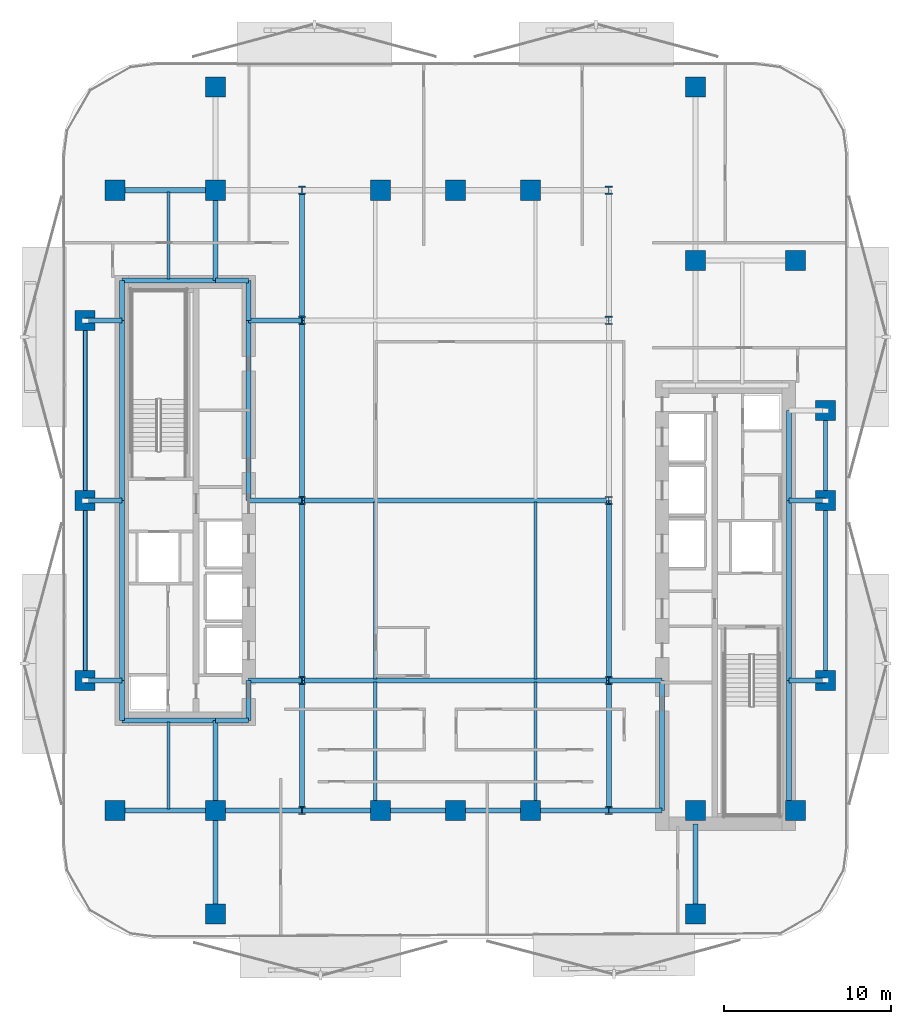
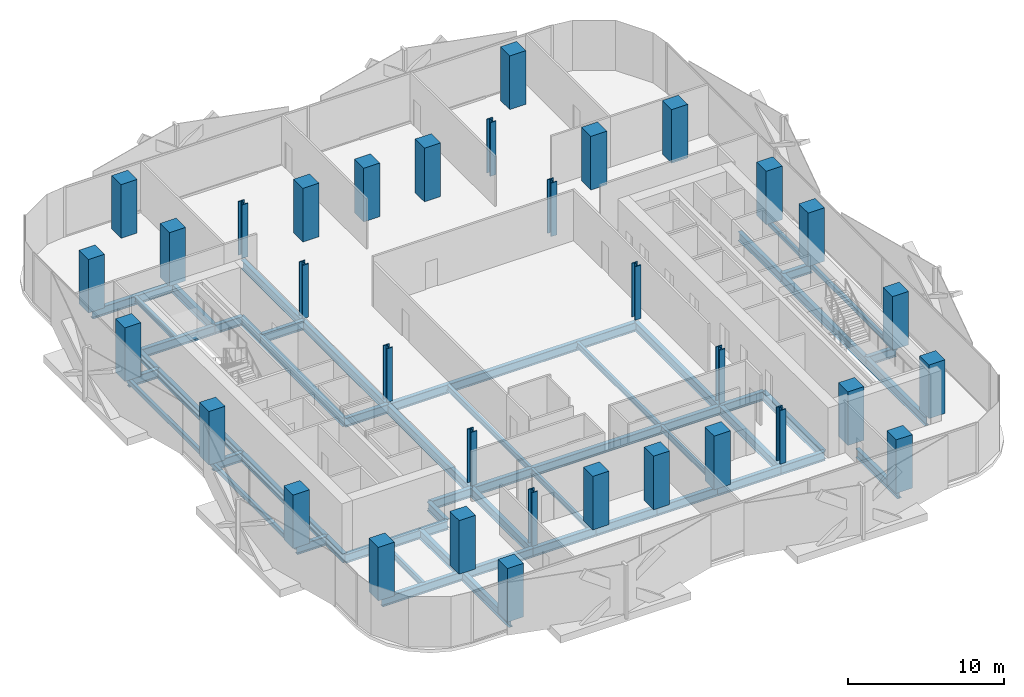
# One storey, part 1 of 15: 54 beams, 34 columns.
"""IFC4 building model written with IfcOpenShell, lengths in metres."""

from ifc_helpers import new_model, si_unit, direction, frame, origin, origin_2d, place, context, subcontext, project, spatial, rectangle, hollow_rectangle, i_section, extrude, material, material_profile, profile_set, type_object, element, save


model = new_model("IFC4")

# Units and contexts
model_context = context("Model", 3, precision=1e-05, world=origin(), true_north=direction((0.0, 1.0)))
body_context = subcontext(model_context, "Body", "Model", "MODEL_VIEW")
ifc_project = project(units=[si_unit("LENGTHUNIT", "METRE"), si_unit("AREAUNIT", "SQUARE_METRE"), si_unit("VOLUMEUNIT", "CUBIC_METRE"), si_unit("PLANEANGLEUNIT", "RADIAN"), si_unit("MASSUNIT", "GRAM", prefix="KILO")], contexts=[model_context])

# Site, building, storey
site_placement = place(None, origin())
site = spatial("IfcSite", under=ifc_project, at=site_placement, CompositionType="ELEMENT")
building_placement = place(site_placement, origin())
building = spatial("IfcBuilding", under=site, at=building_placement, Name="Khairoan Windgate Tower", CompositionType="ELEMENT")
storey_placement = place(building_placement, frame((0.0, 0.0, 122.60009765625)))
storey = spatial("IfcBuildingStorey", under=building, at=storey_placement, Name="L28", CompositionType="ELEMENT", Elevation=122.60009765625)

# Columns
ifc_material_1 = material(Name="Concrete C60/75", Category="concrete")
ifc_material_profile_1 = material_profile(ifc_material_1, rectangle(XDim=1.199951171875, YDim=1.199951171875, at=origin_2d()))
ifc_profile_set_1 = profile_set([ifc_material_profile_1], Name="Concrete C60/75")
column_type_1 = type_object("IfcColumnType", Name="Column C-T3 RC1200x1200", PredefinedType="COLUMN", material=ifc_profile_set_1)
for number, where, z_axis, x_axis, name in (
    (1, (-20.39990234375, -18.60009765625, 0.0), (0.0, 0.0, 1.0), (1.0, 0.0, 0.0), "Column L28-11"),
    (2, (-20.39990234375, 18.60009765625, 0.0), (0.0, 0.0, 1.0), (1.0, 0.0, 0.0), "Column L28-12"),
    (3, (20.39990234375, -18.60009765625, 0.0), (0.0, 0.0, 1.0), (1.0, 0.0, 0.0), "Column L28-13"),
    (4, (20.39990234375, 14.39990234375, 0.0), (0.0, 0.0, 1.0), (1.0, 0.0, 0.0), "Column L28-14"),
    (5, (-14.39990234375, -18.60009765625, 0.0), (0.0, 0.0, 1.0), (1.0, 0.0, 0.0), "Column L28-15"),
    (6, (-14.39990234375, 18.60009765625, 0.0), (0.0, 0.0, 1.0), (1.0, 0.0, 0.0), "Column L28-16"),
    (7, (14.39990234375, -18.60009765625, 0.0), (0.0, 0.0, 1.0), (1.0, 0.0, 0.0), "Column L28-17"),
    (8, (14.39990234375, 14.39990234375, 0.0), (0.0, 0.0, 1.0), (1.0, 0.0, 0.0), "Column L28-18"),
    (9, (-4.5, -18.60009765625, 0.0), (0.0, 0.0, 1.0), (1.0, 0.0, 0.0), "Column L28-19"),
    (10, (0.0, -18.60009765625, 0.0), (0.0, 0.0, 1.0), (1.0, 0.0, 0.0), "Column L28-20"),
    (11, (4.5, -18.60009765625, 0.0), (0.0, 0.0, 1.0), (1.0, 0.0, 0.0), "Column L28-21"),
    (12, (-4.5, 18.60009765625, 0.0), (0.0, 0.0, 1.0), (1.0, 0.0, 0.0), "Column L28-22"),
    (13, (0.0, 18.60009765625, 0.0), (0.0, 0.0, 1.0), (1.0, 0.0, 0.0), "Column L28-23"),
    (14, (4.5, 18.60009765625, 0.0), (0.0, 0.0, 1.0), (1.0, 0.0, 0.0), "Column L28-24"),
    (15, (-22.199951171875, -10.800048828125, 0.0), (0.0, 0.0, 1.0), (1.0, 0.0, 0.0), "Column L28-25"),
    (16, (-22.199951171875, 0.0, 0.0), (0.0, 0.0, 1.0), (1.0, 0.0, 0.0), "Column L28-26"),
    (17, (-22.199951171875, 10.800048828125, 0.0), (0.0, 0.0, 1.0), (1.0, 0.0, 0.0), "Column L28-27"),
    (18, (22.199951171875, -10.800048828125, 0.0), (0.0, 0.0, 1.0), (1.0, 0.0, 0.0), "Column L28-28"),
    (19, (22.199951171875, 0.0, 0.0), (0.0, 0.0, 1.0), (1.0, 0.0, 0.0), "Column L28-29"),
    (20, (22.199951171875, 5.39990234375, 0.0), (0.0, 0.0, 1.0), (1.0, 0.0, 0.0), "Column L28-30"),
    (21, (-14.39990234375, -24.800048828125, 0.0), (0.0, 0.0, 1.0), (1.0, 0.0, 0.0), "Column L28-31"),
    (22, (-14.39990234375, 24.800048828125, 0.0), (0.0, 0.0, 1.0), (1.0, 0.0, 0.0), "Column L28-32"),
    (23, (14.39990234375, -24.800048828125, 0.0), (0.0, 0.0, 1.0), (1.0, 0.0, 0.0), "Column L28-33"),
    (24, (14.39990234375, 24.800048828125, 0.0), (0.0, 0.0, 1.0), (1.0, 0.0, 0.0), "Column L28-34"),
):
    element("IfcColumn", number, at=place(storey_placement, frame(where, z_axis=z_axis, x_axis=x_axis)), inside=storey, type_object=column_type_1, Name=name, PredefinedType="COLUMN", context=body_context, shape_type="SweptSolid", body=[
        extrude(rectangle(XDim=1.199951171875, YDim=1.199951171875, at=origin_2d()), origin(), (0.0, 0.0, 1.0), 4.199951171875),
    ])
ifc_material_2 = material(Name="Steel S355", Category="steel")
ifc_material_profile_2 = material_profile(ifc_material_2, i_section(OverallWidth=0.431884765625, OverallDepth=0.498046875, WebThickness=0.044921875, FlangeThickness=0.070068359375, FilletRadius=0.02197265625, at=origin_2d()))
ifc_profile_set_2 = profile_set([ifc_material_profile_2], Name="Steel S355")
column_type_2 = type_object("IfcColumnType", Name="Steel Column SC1 H498x432x45x70", PredefinedType="COLUMN", material=ifc_profile_set_2)
for number, where, z_axis, x_axis, name in (
    (25, (-9.199951171875, -18.60009765625, 0.0), (0.0, 0.0, 1.0), (1.0, 0.0, 0.0), "Column L28-01"),
    (26, (-9.199951171875, -10.800048828125, 0.0), (0.0, 0.0, 1.0), (1.0, 0.0, 0.0), "Column L28-02"),
    (27, (-9.199951171875, 0.0, 0.0), (0.0, 0.0, 1.0), (1.0, 0.0, 0.0), "Column L28-03"),
    (28, (-9.199951171875, 10.800048828125, 0.0), (0.0, 0.0, 1.0), (1.0, 0.0, 0.0), "Column L28-04"),
    (29, (-9.199951171875, 18.60009765625, 0.0), (0.0, 0.0, 1.0), (1.0, 0.0, 0.0), "Column L28-05"),
    (30, (9.199951171875, -18.60009765625, 0.0), (0.0, 0.0, 1.0), (1.0, 0.0, 0.0), "Column L28-06"),
    (31, (9.199951171875, -10.800048828125, 0.0), (0.0, 0.0, 1.0), (1.0, 0.0, 0.0), "Column L28-07"),
    (32, (9.199951171875, 0.0, 0.0), (0.0, 0.0, 1.0), (1.0, 0.0, 0.0), "Column L28-08"),
    (33, (9.199951171875, 10.800048828125, 0.0), (0.0, 0.0, 1.0), (1.0, 0.0, 0.0), "Column L28-09"),
    (34, (9.199951171875, 18.60009765625, 0.0), (0.0, 0.0, 1.0), (1.0, 0.0, 0.0), "Column L28-10"),
):
    element("IfcColumn", number, at=place(storey_placement, frame(where, z_axis=z_axis, x_axis=x_axis)), inside=storey, type_object=column_type_2, Name=name, PredefinedType="COLUMN", context=body_context, shape_type="SweptSolid", body=[
        extrude(i_section(OverallWidth=0.431884765625, OverallDepth=0.498046875, WebThickness=0.044921875, FlangeThickness=0.070068359375, FilletRadius=0.02197265625, at=origin_2d()), origin(), (0.0, 0.0, 1.0), 4.199951171875),
    ])

# Beams
ifc_material_3 = material(Name="Steel S355", Category="steel")
ifc_material_profile_3 = material_profile(ifc_material_3, i_section(OverallWidth=0.300048828125, OverallDepth=0.699951171875, WebThickness=0.012939453125, FlangeThickness=0.02392578125, FilletRadius=0.02587890625, at=origin_2d()))
ifc_profile_set_3 = profile_set([ifc_material_profile_3], Name="Steel S355")
beam_type_1 = type_object("IfcBeamType", Name="Beam B-G3 H700x300x13x24", PredefinedType="BEAM", material=ifc_profile_set_3)
beam_1_placement = place(storey_placement, frame((-20.39990234375, -18.60009765625, -0.610107421875), z_axis=(1.0, 0.0, 0.0), x_axis=(0.0, 1.0, 0.0)))
element("IfcBeam", 35, at=beam_1_placement, inside=storey, type_object=beam_type_1, Name="L28 E-W Primary Girder 01", PredefinedType="BEAM", context=body_context, shape_type="SweptSolid", body=[
    extrude(i_section(OverallWidth=0.300048828125, OverallDepth=0.699951171875, WebThickness=0.012939453125, FlangeThickness=0.02392578125, FilletRadius=0.02587890625, at=origin_2d()), origin(), (0.0, 0.0, 1.0), 6.0),
])
beam_2_placement = place(storey_placement, frame((-14.39990234375, -18.60009765625, -0.610107421875), z_axis=(1.0, 0.0, 0.0), x_axis=(0.0, 1.0, 0.0)))
element("IfcBeam", 36, at=beam_2_placement, inside=storey, type_object=beam_type_1, Name="L28 E-W Primary Girder 02", PredefinedType="BEAM", context=body_context, shape_type="SweptSolid", body=[
    extrude(i_section(OverallWidth=0.300048828125, OverallDepth=0.699951171875, WebThickness=0.012939453125, FlangeThickness=0.02392578125, FilletRadius=0.02587890625, at=origin_2d()), origin(), (0.0, 0.0, 1.0), 5.199951171875),
])
beam_3_placement = place(storey_placement, frame((-9.199951171875, -18.60009765625, -0.610107421875), z_axis=(1.0, 0.0, 0.0), x_axis=(0.0, 1.0, 0.0)))
element("IfcBeam", 37, at=beam_3_placement, inside=storey, type_object=beam_type_1, Name="L28 E-W Primary Girder 03", PredefinedType="BEAM", context=body_context, shape_type="SweptSolid", body=[
    extrude(i_section(OverallWidth=0.300048828125, OverallDepth=0.699951171875, WebThickness=0.012939453125, FlangeThickness=0.02392578125, FilletRadius=0.02587890625, at=origin_2d()), origin(), (0.0, 0.0, 1.0), 4.699951171875),
])
for number, where, z_axis, x_axis, name in (
    (38, (-4.5, -18.60009765625, -0.610107421875), (1.0, 0.0, 0.0), (0.0, 1.0, 0.0), "L28 E-W Primary Girder 04"),
    (39, (0.0, -18.60009765625, -0.610107421875), (1.0, 0.0, 0.0), (0.0, 1.0, 0.0), "L28 E-W Primary Girder 05"),
):
    element("IfcBeam", number, at=place(storey_placement, frame(where, z_axis=z_axis, x_axis=x_axis)), inside=storey, type_object=beam_type_1, Name=name, PredefinedType="BEAM", context=body_context, shape_type="SweptSolid", body=[
        extrude(i_section(OverallWidth=0.300048828125, OverallDepth=0.699951171875, WebThickness=0.012939453125, FlangeThickness=0.02392578125, FilletRadius=0.02587890625, at=origin_2d()), origin(), (0.0, 0.0, 1.0), 4.5),
    ])
beam_4_placement = place(storey_placement, frame((4.5, -18.60009765625, -0.610107421875), z_axis=(1.0, 0.0, 0.0), x_axis=(0.0, 1.0, 0.0)))
element("IfcBeam", 40, at=beam_4_placement, inside=storey, type_object=beam_type_1, Name="L28 E-W Primary Girder 06", PredefinedType="BEAM", context=body_context, shape_type="SweptSolid", body=[
    extrude(i_section(OverallWidth=0.300048828125, OverallDepth=0.699951171875, WebThickness=0.012939453125, FlangeThickness=0.02392578125, FilletRadius=0.02587890625, at=origin_2d()), origin(), (0.0, 0.0, 1.0), 4.699951171875),
])
beam_5_placement = place(storey_placement, frame((9.199951171875, -18.60009765625, -0.610107421875), z_axis=(1.0, 0.0, 0.0), x_axis=(0.0, 1.0, 0.0)))
element("IfcBeam", 41, at=beam_5_placement, inside=storey, type_object=beam_type_1, Name="L28 E-W Primary Girder 07", PredefinedType="BEAM", context=body_context, shape_type="SweptSolid", body=[
    extrude(i_section(OverallWidth=0.300048828125, OverallDepth=0.699951171875, WebThickness=0.012939453125, FlangeThickness=0.02392578125, FilletRadius=0.02587890625, at=origin_2d()), origin(), (0.0, 0.0, 1.0), 3.199951171875),
])
beam_6_placement = place(storey_placement, frame((-20.0, -13.199951171875, -0.610107421875), z_axis=(1.0, 0.0, 0.0), x_axis=(0.0, 1.0, 0.0)))
element("IfcBeam", 42, at=beam_6_placement, inside=storey, type_object=beam_type_1, Name="L28 E-W Primary Girder 08", PredefinedType="BEAM", context=body_context, shape_type="SweptSolid", body=[
    extrude(i_section(OverallWidth=0.300048828125, OverallDepth=0.699951171875, WebThickness=0.012939453125, FlangeThickness=0.02392578125, FilletRadius=0.02587890625, at=origin_2d()), origin(), (0.0, 0.0, 1.0), 5.60009765625),
])
beam_7_placement = place(storey_placement, frame((-14.39990234375, -13.199951171875, -0.610107421875), z_axis=(1.0, 0.0, 0.0), x_axis=(0.0, 1.0, 0.0)))
element("IfcBeam", 43, at=beam_7_placement, inside=storey, type_object=beam_type_1, Name="L28 E-W Primary Girder 09", PredefinedType="BEAM", context=body_context, shape_type="SweptSolid", body=[
    extrude(i_section(OverallWidth=0.300048828125, OverallDepth=0.699951171875, WebThickness=0.012939453125, FlangeThickness=0.02392578125, FilletRadius=0.02587890625, at=origin_2d()), origin(), (0.0, 0.0, 1.0), 2.0),
])
beam_8_placement = place(storey_placement, frame((-22.199951171875, -10.800048828125, -0.610107421875), z_axis=(1.0, 0.0, 0.0), x_axis=(0.0, 1.0, 0.0)))
element("IfcBeam", 44, at=beam_8_placement, inside=storey, type_object=beam_type_1, Name="L28 E-W Primary Girder 10", PredefinedType="BEAM", context=body_context, shape_type="SweptSolid", body=[
    extrude(i_section(OverallWidth=0.300048828125, OverallDepth=0.699951171875, WebThickness=0.012939453125, FlangeThickness=0.02392578125, FilletRadius=0.02587890625, at=origin_2d()), origin(), (0.0, 0.0, 1.0), 2.199951171875),
])
beam_9_placement = place(storey_placement, frame((-12.39990234375, -10.800048828125, -0.610107421875), z_axis=(1.0, 0.0, 0.0), x_axis=(0.0, 1.0, 0.0)))
element("IfcBeam", 45, at=beam_9_placement, inside=storey, type_object=beam_type_1, Name="L28 E-W Primary Girder 11", PredefinedType="BEAM", context=body_context, shape_type="SweptSolid", body=[
    extrude(i_section(OverallWidth=0.300048828125, OverallDepth=0.699951171875, WebThickness=0.012939453125, FlangeThickness=0.02392578125, FilletRadius=0.02587890625, at=origin_2d()), origin(), (0.0, 0.0, 1.0), 3.199951171875),
])
beam_10_placement = place(storey_placement, frame((-9.199951171875, -10.800048828125, -0.610107421875), z_axis=(1.0, 0.0, 0.0), x_axis=(0.0, 1.0, 0.0)))
element("IfcBeam", 46, at=beam_10_placement, inside=storey, type_object=beam_type_1, Name="L28 E-W Primary Girder 12", PredefinedType="BEAM", context=body_context, shape_type="SweptSolid", body=[
    extrude(i_section(OverallWidth=0.300048828125, OverallDepth=0.699951171875, WebThickness=0.012939453125, FlangeThickness=0.02392578125, FilletRadius=0.02587890625, at=origin_2d()), origin(), (0.0, 0.0, 1.0), 18.39990234375),
])
beam_11_placement = place(storey_placement, frame((9.199951171875, -10.800048828125, -0.610107421875), z_axis=(1.0, 0.0, 0.0), x_axis=(0.0, 1.0, 0.0)))
element("IfcBeam", 47, at=beam_11_placement, inside=storey, type_object=beam_type_1, Name="L28 E-W Primary Girder 13", PredefinedType="BEAM", context=body_context, shape_type="SweptSolid", body=[
    extrude(i_section(OverallWidth=0.300048828125, OverallDepth=0.699951171875, WebThickness=0.012939453125, FlangeThickness=0.02392578125, FilletRadius=0.02587890625, at=origin_2d()), origin(), (0.0, 0.0, 1.0), 3.199951171875),
])
for number, where, z_axis, x_axis, name in (
    (48, (20.0, -10.800048828125, -0.610107421875), (1.0, 0.0, 0.0), (0.0, 1.0, 0.0), "L28 E-W Primary Girder 14"),
    (49, (-22.199951171875, 0.0, -0.610107421875), (1.0, 0.0, 0.0), (0.0, 1.0, 0.0), "L28 E-W Primary Girder 15"),
):
    element("IfcBeam", number, at=place(storey_placement, frame(where, z_axis=z_axis, x_axis=x_axis)), inside=storey, type_object=beam_type_1, Name=name, PredefinedType="BEAM", context=body_context, shape_type="SweptSolid", body=[
        extrude(i_section(OverallWidth=0.300048828125, OverallDepth=0.699951171875, WebThickness=0.012939453125, FlangeThickness=0.02392578125, FilletRadius=0.02587890625, at=origin_2d()), origin(), (0.0, 0.0, 1.0), 2.199951171875),
    ])
beam_12_placement = place(storey_placement, frame((-12.39990234375, 0.0, -0.610107421875), z_axis=(1.0, 0.0, 0.0), x_axis=(0.0, 1.0, 0.0)))
element("IfcBeam", 50, at=beam_12_placement, inside=storey, type_object=beam_type_1, Name="L28 E-W Primary Girder 16", PredefinedType="BEAM", context=body_context, shape_type="SweptSolid", body=[
    extrude(i_section(OverallWidth=0.300048828125, OverallDepth=0.699951171875, WebThickness=0.012939453125, FlangeThickness=0.02392578125, FilletRadius=0.02587890625, at=origin_2d()), origin(), (0.0, 0.0, 1.0), 3.199951171875),
])
beam_13_placement = place(storey_placement, frame((-9.199951171875, 0.0, -0.610107421875), z_axis=(1.0, 0.0, 0.0), x_axis=(0.0, 1.0, 0.0)))
element("IfcBeam", 51, at=beam_13_placement, inside=storey, type_object=beam_type_1, Name="L28 E-W Primary Girder 17", PredefinedType="BEAM", context=body_context, shape_type="SweptSolid", body=[
    extrude(i_section(OverallWidth=0.300048828125, OverallDepth=0.699951171875, WebThickness=0.012939453125, FlangeThickness=0.02392578125, FilletRadius=0.02587890625, at=origin_2d()), origin(), (0.0, 0.0, 1.0), 18.39990234375),
])
for number, where, z_axis, x_axis, name in (
    (52, (20.0, 0.0, -0.610107421875), (1.0, 0.0, 0.0), (0.0, 1.0, 0.0), "L28 E-W Primary Girder 18"),
    (53, (-22.199951171875, 10.800048828125, -0.610107421875), (1.0, 0.0, 0.0), (0.0, 1.0, 0.0), "L28 E-W Primary Girder 22"),
):
    element("IfcBeam", number, at=place(storey_placement, frame(where, z_axis=z_axis, x_axis=x_axis)), inside=storey, type_object=beam_type_1, Name=name, PredefinedType="BEAM", context=body_context, shape_type="SweptSolid", body=[
        extrude(i_section(OverallWidth=0.300048828125, OverallDepth=0.699951171875, WebThickness=0.012939453125, FlangeThickness=0.02392578125, FilletRadius=0.02587890625, at=origin_2d()), origin(), (0.0, 0.0, 1.0), 2.199951171875),
    ])
beam_14_placement = place(storey_placement, frame((-12.39990234375, 10.800048828125, -0.610107421875), z_axis=(1.0, 0.0, 0.0), x_axis=(0.0, 1.0, 0.0)))
element("IfcBeam", 54, at=beam_14_placement, inside=storey, type_object=beam_type_1, Name="L28 E-W Primary Girder 23", PredefinedType="BEAM", context=body_context, shape_type="SweptSolid", body=[
    extrude(i_section(OverallWidth=0.300048828125, OverallDepth=0.699951171875, WebThickness=0.012939453125, FlangeThickness=0.02392578125, FilletRadius=0.02587890625, at=origin_2d()), origin(), (0.0, 0.0, 1.0), 3.199951171875),
])
beam_15_placement = place(storey_placement, frame((-20.0, 13.199951171875, -0.610107421875), z_axis=(1.0, 0.0, 0.0), x_axis=(0.0, 1.0, 0.0)))
element("IfcBeam", 55, at=beam_15_placement, inside=storey, type_object=beam_type_1, Name="L28 E-W Primary Girder 25", PredefinedType="BEAM", context=body_context, shape_type="SweptSolid", body=[
    extrude(i_section(OverallWidth=0.300048828125, OverallDepth=0.699951171875, WebThickness=0.012939453125, FlangeThickness=0.02392578125, FilletRadius=0.02587890625, at=origin_2d()), origin(), (0.0, 0.0, 1.0), 5.60009765625),
])
beam_16_placement = place(storey_placement, frame((-14.39990234375, 13.199951171875, -0.610107421875), z_axis=(1.0, 0.0, 0.0), x_axis=(0.0, 1.0, 0.0)))
element("IfcBeam", 56, at=beam_16_placement, inside=storey, type_object=beam_type_1, Name="L28 E-W Primary Girder 26", PredefinedType="BEAM", context=body_context, shape_type="SweptSolid", body=[
    extrude(i_section(OverallWidth=0.300048828125, OverallDepth=0.699951171875, WebThickness=0.012939453125, FlangeThickness=0.02392578125, FilletRadius=0.02587890625, at=origin_2d()), origin(), (0.0, 0.0, 1.0), 2.0),
])
beam_17_placement = place(storey_placement, frame((-20.39990234375, 18.60009765625, -0.610107421875), z_axis=(1.0, 0.0, 0.0), x_axis=(0.0, 1.0, 0.0)))
element("IfcBeam", 57, at=beam_17_placement, inside=storey, type_object=beam_type_1, Name="L28 E-W Primary Girder 28", PredefinedType="BEAM", context=body_context, shape_type="SweptSolid", body=[
    extrude(i_section(OverallWidth=0.300048828125, OverallDepth=0.699951171875, WebThickness=0.012939453125, FlangeThickness=0.02392578125, FilletRadius=0.02587890625, at=origin_2d()), origin(), (0.0, 0.0, 1.0), 6.0),
])
beam_18_placement = place(storey_placement, frame((-20.0, -13.199951171875, -0.610107421875), z_axis=(0.0, 1.0, 0.0), x_axis=(-1.0, 0.0, 0.0)))
element("IfcBeam", 58, at=beam_18_placement, inside=storey, type_object=beam_type_1, Name="L28 N-S Primary Beam 36", PredefinedType="BEAM", context=body_context, shape_type="SweptSolid", body=[
    extrude(i_section(OverallWidth=0.300048828125, OverallDepth=0.699951171875, WebThickness=0.012939453125, FlangeThickness=0.02392578125, FilletRadius=0.02587890625, at=origin_2d()), origin(), (0.0, 0.0, 1.0), 2.39990234375),
])
for number, where, z_axis, x_axis, name in (
    (59, (-20.0, -10.800048828125, -0.610107421875), (0.0, 1.0, 0.0), (-1.0, 0.0, 0.0), "L28 N-S Primary Beam 37"),
    (60, (-20.0, 0.0, -0.610107421875), (0.0, 1.0, 0.0), (-1.0, 0.0, 0.0), "L28 N-S Primary Beam 38"),
):
    element("IfcBeam", number, at=place(storey_placement, frame(where, z_axis=z_axis, x_axis=x_axis)), inside=storey, type_object=beam_type_1, Name=name, PredefinedType="BEAM", context=body_context, shape_type="SweptSolid", body=[
        extrude(i_section(OverallWidth=0.300048828125, OverallDepth=0.699951171875, WebThickness=0.012939453125, FlangeThickness=0.02392578125, FilletRadius=0.02587890625, at=origin_2d()), origin(), (0.0, 0.0, 1.0), 10.800048828125),
    ])
beam_19_placement = place(storey_placement, frame((-20.0, 10.800048828125, -0.610107421875), z_axis=(0.0, 1.0, 0.0), x_axis=(-1.0, 0.0, 0.0)))
element("IfcBeam", 61, at=beam_19_placement, inside=storey, type_object=beam_type_1, Name="L28 N-S Primary Beam 39", PredefinedType="BEAM", context=body_context, shape_type="SweptSolid", body=[
    extrude(i_section(OverallWidth=0.300048828125, OverallDepth=0.699951171875, WebThickness=0.012939453125, FlangeThickness=0.02392578125, FilletRadius=0.02587890625, at=origin_2d()), origin(), (0.0, 0.0, 1.0), 2.39990234375),
])
beam_20_placement = place(storey_placement, frame((-14.39990234375, -24.800048828125, -0.610107421875), z_axis=(0.0, 1.0, 0.0), x_axis=(-1.0, 0.0, 0.0)))
element("IfcBeam", 62, at=beam_20_placement, inside=storey, type_object=beam_type_1, Name="L28 N-S Primary Beam 40", PredefinedType="BEAM", context=body_context, shape_type="SweptSolid", body=[
    extrude(i_section(OverallWidth=0.300048828125, OverallDepth=0.699951171875, WebThickness=0.012939453125, FlangeThickness=0.02392578125, FilletRadius=0.02587890625, at=origin_2d()), origin(), (0.0, 0.0, 1.0), 6.199951171875),
])
for number, where, z_axis, x_axis, name in (
    (63, (-14.39990234375, -18.60009765625, -0.610107421875), (0.0, 1.0, 0.0), (-1.0, 0.0, 0.0), "L28 N-S Primary Beam 41"),
    (64, (-14.39990234375, 13.199951171875, -0.610107421875), (0.0, 1.0, 0.0), (-1.0, 0.0, 0.0), "L28 N-S Primary Beam 42"),
):
    element("IfcBeam", number, at=place(storey_placement, frame(where, z_axis=z_axis, x_axis=x_axis)), inside=storey, type_object=beam_type_1, Name=name, PredefinedType="BEAM", context=body_context, shape_type="SweptSolid", body=[
        extrude(i_section(OverallWidth=0.300048828125, OverallDepth=0.699951171875, WebThickness=0.012939453125, FlangeThickness=0.02392578125, FilletRadius=0.02587890625, at=origin_2d()), origin(), (0.0, 0.0, 1.0), 5.400146484375),
    ])
beam_21_placement = place(storey_placement, frame((-12.39990234375, -13.199951171875, -0.610107421875), z_axis=(0.0, 1.0, 0.0), x_axis=(-1.0, 0.0, 0.0)))
element("IfcBeam", 65, at=beam_21_placement, inside=storey, type_object=beam_type_1, Name="L28 N-S Primary Beam 44", PredefinedType="BEAM", context=body_context, shape_type="SweptSolid", body=[
    extrude(i_section(OverallWidth=0.300048828125, OverallDepth=0.699951171875, WebThickness=0.012939453125, FlangeThickness=0.02392578125, FilletRadius=0.02587890625, at=origin_2d()), origin(), (0.0, 0.0, 1.0), 2.39990234375),
])
beam_22_placement = place(storey_placement, frame((-12.39990234375, 0.0, -0.610107421875), z_axis=(0.0, 1.0, 0.0), x_axis=(-1.0, 0.0, 0.0)))
element("IfcBeam", 66, at=beam_22_placement, inside=storey, type_object=beam_type_1, Name="L28 N-S Primary Beam 45", PredefinedType="BEAM", context=body_context, shape_type="SweptSolid", body=[
    extrude(i_section(OverallWidth=0.300048828125, OverallDepth=0.699951171875, WebThickness=0.012939453125, FlangeThickness=0.02392578125, FilletRadius=0.02587890625, at=origin_2d()), origin(), (0.0, 0.0, 1.0), 10.800048828125),
])
beam_23_placement = place(storey_placement, frame((-12.39990234375, 10.800048828125, -0.610107421875), z_axis=(0.0, 1.0, 0.0), x_axis=(-1.0, 0.0, 0.0)))
element("IfcBeam", 67, at=beam_23_placement, inside=storey, type_object=beam_type_1, Name="L28 N-S Primary Beam 46", PredefinedType="BEAM", context=body_context, shape_type="SweptSolid", body=[
    extrude(i_section(OverallWidth=0.300048828125, OverallDepth=0.699951171875, WebThickness=0.012939453125, FlangeThickness=0.02392578125, FilletRadius=0.02587890625, at=origin_2d()), origin(), (0.0, 0.0, 1.0), 2.39990234375),
])
beam_24_placement = place(storey_placement, frame((-9.199951171875, -18.60009765625, -0.610107421875), z_axis=(0.0, 1.0, 0.0), x_axis=(-1.0, 0.0, 0.0)))
element("IfcBeam", 68, at=beam_24_placement, inside=storey, type_object=beam_type_1, Name="L28 N-S Primary Beam 47", PredefinedType="BEAM", context=body_context, shape_type="SweptSolid", body=[
    extrude(i_section(OverallWidth=0.300048828125, OverallDepth=0.699951171875, WebThickness=0.012939453125, FlangeThickness=0.02392578125, FilletRadius=0.02587890625, at=origin_2d()), origin(), (0.0, 0.0, 1.0), 7.800048828125),
])
for number, where, z_axis, x_axis, name in (
    (69, (-9.199951171875, -10.800048828125, -0.610107421875), (0.0, 1.0, 0.0), (-1.0, 0.0, 0.0), "L28 N-S Primary Beam 48"),
    (70, (-9.199951171875, 0.0, -0.610107421875), (0.0, 1.0, 0.0), (-1.0, 0.0, 0.0), "L28 N-S Primary Beam 49"),
):
    element("IfcBeam", number, at=place(storey_placement, frame(where, z_axis=z_axis, x_axis=x_axis)), inside=storey, type_object=beam_type_1, Name=name, PredefinedType="BEAM", context=body_context, shape_type="SweptSolid", body=[
        extrude(i_section(OverallWidth=0.300048828125, OverallDepth=0.699951171875, WebThickness=0.012939453125, FlangeThickness=0.02392578125, FilletRadius=0.02587890625, at=origin_2d()), origin(), (0.0, 0.0, 1.0), 10.800048828125),
    ])
for number, where, z_axis, x_axis, name in (
    (71, (-9.199951171875, 10.800048828125, -0.610107421875), (0.0, 1.0, 0.0), (-1.0, 0.0, 0.0), "L28 N-S Primary Beam 50"),
    (72, (9.199951171875, -18.60009765625, -0.610107421875), (0.0, 1.0, 0.0), (-1.0, 0.0, 0.0), "L28 N-S Primary Beam 51"),
):
    element("IfcBeam", number, at=place(storey_placement, frame(where, z_axis=z_axis, x_axis=x_axis)), inside=storey, type_object=beam_type_1, Name=name, PredefinedType="BEAM", context=body_context, shape_type="SweptSolid", body=[
        extrude(i_section(OverallWidth=0.300048828125, OverallDepth=0.699951171875, WebThickness=0.012939453125, FlangeThickness=0.02392578125, FilletRadius=0.02587890625, at=origin_2d()), origin(), (0.0, 0.0, 1.0), 7.800048828125),
    ])
beam_25_placement = place(storey_placement, frame((9.199951171875, -10.800048828125, -0.610107421875), z_axis=(0.0, 1.0, 0.0), x_axis=(-1.0, 0.0, 0.0)))
element("IfcBeam", 73, at=beam_25_placement, inside=storey, type_object=beam_type_1, Name="L28 N-S Primary Beam 52", PredefinedType="BEAM", context=body_context, shape_type="SweptSolid", body=[
    extrude(i_section(OverallWidth=0.300048828125, OverallDepth=0.699951171875, WebThickness=0.012939453125, FlangeThickness=0.02392578125, FilletRadius=0.02587890625, at=origin_2d()), origin(), (0.0, 0.0, 1.0), 10.800048828125),
])
beam_26_placement = place(storey_placement, frame((12.39990234375, -18.60009765625, -0.610107421875), z_axis=(0.0, 1.0, 0.0), x_axis=(-1.0, 0.0, 0.0)))
element("IfcBeam", 74, at=beam_26_placement, inside=storey, type_object=beam_type_1, Name="L28 N-S Primary Beam 55", PredefinedType="BEAM", context=body_context, shape_type="SweptSolid", body=[
    extrude(i_section(OverallWidth=0.300048828125, OverallDepth=0.699951171875, WebThickness=0.012939453125, FlangeThickness=0.02392578125, FilletRadius=0.02587890625, at=origin_2d()), origin(), (0.0, 0.0, 1.0), 7.800048828125),
])
beam_27_placement = place(storey_placement, frame((14.39990234375, -24.800048828125, -0.610107421875), z_axis=(0.0, 1.0, 0.0), x_axis=(-1.0, 0.0, 0.0)))
element("IfcBeam", 75, at=beam_27_placement, inside=storey, type_object=beam_type_1, Name="L28 N-S Primary Beam 56", PredefinedType="BEAM", context=body_context, shape_type="SweptSolid", body=[
    extrude(i_section(OverallWidth=0.300048828125, OverallDepth=0.699951171875, WebThickness=0.012939453125, FlangeThickness=0.02392578125, FilletRadius=0.02587890625, at=origin_2d()), origin(), (0.0, 0.0, 1.0), 5.400146484375),
])
beam_28_placement = place(storey_placement, frame((20.0, -18.60009765625, -0.610107421875), z_axis=(0.0, 1.0, 0.0), x_axis=(-1.0, 0.0, 0.0)))
element("IfcBeam", 76, at=beam_28_placement, inside=storey, type_object=beam_type_1, Name="L28 N-S Primary Beam 59", PredefinedType="BEAM", context=body_context, shape_type="SweptSolid", body=[
    extrude(i_section(OverallWidth=0.300048828125, OverallDepth=0.699951171875, WebThickness=0.012939453125, FlangeThickness=0.02392578125, FilletRadius=0.02587890625, at=origin_2d()), origin(), (0.0, 0.0, 1.0), 7.800048828125),
])
beam_29_placement = place(storey_placement, frame((20.0, -10.800048828125, -0.610107421875), z_axis=(0.0, 1.0, 0.0), x_axis=(-1.0, 0.0, 0.0)))
element("IfcBeam", 77, at=beam_29_placement, inside=storey, type_object=beam_type_1, Name="L28 N-S Primary Beam 60", PredefinedType="BEAM", context=body_context, shape_type="SweptSolid", body=[
    extrude(i_section(OverallWidth=0.300048828125, OverallDepth=0.699951171875, WebThickness=0.012939453125, FlangeThickness=0.02392578125, FilletRadius=0.02587890625, at=origin_2d()), origin(), (0.0, 0.0, 1.0), 10.800048828125),
])
beam_30_placement = place(storey_placement, frame((20.0, 0.0, -0.610107421875), z_axis=(0.0, 1.0, 0.0), x_axis=(-1.0, 0.0, 0.0)))
element("IfcBeam", 78, at=beam_30_placement, inside=storey, type_object=beam_type_1, Name="L28 N-S Primary Beam 61", PredefinedType="BEAM", context=body_context, shape_type="SweptSolid", body=[
    extrude(i_section(OverallWidth=0.300048828125, OverallDepth=0.699951171875, WebThickness=0.012939453125, FlangeThickness=0.02392578125, FilletRadius=0.02587890625, at=origin_2d()), origin(), (0.0, 0.0, 1.0), 5.39990234375),
])
ifc_material_4 = material(Name="Steel S355", Category="steel")
ifc_material_profile_4 = material_profile(ifc_material_4, i_section(OverallWidth=0.199951171875, OverallDepth=0.449951171875, WebThickness=0.009033203125, FlangeThickness=0.013916015625, FilletRadius=0.01806640625, at=origin_2d()))
ifc_profile_set_4 = profile_set([ifc_material_profile_4], Name="Steel S355")
beam_type_2 = type_object("IfcBeamType", Name="Beam J-S3 H450x200x9x14", PredefinedType="JOIST", material=ifc_profile_set_4)
for number, where, z_axis, x_axis, name in (
    (79, (-17.199951171875, -18.510009765625, -0.485107421875), (0.0, 1.0, 0.0), (-1.0, 0.0, 0.0), "L28 Secondary Floor Joist 01"),
    (80, (-17.199951171875, 13.2900390625, -0.485107421875), (0.0, 1.0, 0.0), (-1.0, 0.0, 0.0), "L28 Secondary Floor Joist 02"),
):
    element("IfcBeam", number, at=place(storey_placement, frame(where, z_axis=z_axis, x_axis=x_axis)), inside=storey, type_object=beam_type_2, Name=name, PredefinedType="JOIST", context=body_context, shape_type="SweptSolid", body=[
        extrude(i_section(OverallWidth=0.199951171875, OverallDepth=0.449951171875, WebThickness=0.009033203125, FlangeThickness=0.013916015625, FilletRadius=0.01806640625, at=origin_2d()), origin(), (0.0, 0.0, 1.0), 5.219970703125),
    ])
beam_31_placement = place(storey_placement, frame((-4.800048828125, -18.510009765625, -0.485107421875), z_axis=(0.0, 1.0, 0.0), x_axis=(-1.0, 0.0, 0.0)))
element("IfcBeam", 81, at=beam_31_placement, inside=storey, type_object=beam_type_2, Name="L28 Secondary Floor Joist 03", PredefinedType="JOIST", context=body_context, shape_type="SweptSolid", body=[
    extrude(i_section(OverallWidth=0.199951171875, OverallDepth=0.449951171875, WebThickness=0.009033203125, FlangeThickness=0.013916015625, FilletRadius=0.01806640625, at=origin_2d()), origin(), (0.0, 0.0, 1.0), 7.6201171875),
])
beam_32_placement = place(storey_placement, frame((-4.800048828125, -10.7099609375, -0.485107421875), z_axis=(0.0, 1.0, 0.0), x_axis=(-1.0, 0.0, 0.0)))
element("IfcBeam", 82, at=beam_32_placement, inside=storey, type_object=beam_type_2, Name="L28 Secondary Floor Joist 04", PredefinedType="JOIST", context=body_context, shape_type="SweptSolid", body=[
    extrude(i_section(OverallWidth=0.199951171875, OverallDepth=0.449951171875, WebThickness=0.009033203125, FlangeThickness=0.013916015625, FilletRadius=0.01806640625, at=origin_2d()), origin(), (0.0, 0.0, 1.0), 10.619873046875),
])
beam_33_placement = place(storey_placement, frame((4.800048828125, -18.510009765625, -0.485107421875), z_axis=(0.0, 1.0, 0.0), x_axis=(-1.0, 0.0, 0.0)))
element("IfcBeam", 83, at=beam_33_placement, inside=storey, type_object=beam_type_2, Name="L28 Secondary Floor Joist 07", PredefinedType="JOIST", context=body_context, shape_type="SweptSolid", body=[
    extrude(i_section(OverallWidth=0.199951171875, OverallDepth=0.449951171875, WebThickness=0.009033203125, FlangeThickness=0.013916015625, FilletRadius=0.01806640625, at=origin_2d()), origin(), (0.0, 0.0, 1.0), 7.6201171875),
])
beam_34_placement = place(storey_placement, frame((4.800048828125, -10.7099609375, -0.485107421875), z_axis=(0.0, 1.0, 0.0), x_axis=(-1.0, 0.0, 0.0)))
element("IfcBeam", 84, at=beam_34_placement, inside=storey, type_object=beam_type_2, Name="L28 Secondary Floor Joist 08", PredefinedType="JOIST", context=body_context, shape_type="SweptSolid", body=[
    extrude(i_section(OverallWidth=0.199951171875, OverallDepth=0.449951171875, WebThickness=0.009033203125, FlangeThickness=0.013916015625, FilletRadius=0.01806640625, at=origin_2d()), origin(), (0.0, 0.0, 1.0), 10.619873046875),
])
ifc_material_5 = material(Name="Steel S355", Category="steel")
ifc_material_profile_5 = material_profile(ifc_material_5, hollow_rectangle(XDim=0.25, YDim=0.35009765625, WallThickness=0.012451171875, InnerFilletRadius=0.012451171875, OuterFilletRadius=0.02490234375, at=origin_2d()))
ifc_profile_set_5 = profile_set([ifc_material_profile_5], Name="Steel S355")
beam_type_3 = type_object("IfcBeamType", Name="Beam SP-B2 RHS350x250x12.5", PredefinedType="SPANDREL", material=ifc_profile_set_5)
for number, where, z_axis, x_axis, name in (
    (85, (-22.199951171875, -10.800048828125, -0.43505859375), (0.0, 1.0, 0.0), (-1.0, 0.0, 0.0), "L28 Spandrel Beam 34"),
    (86, (-22.199951171875, 0.0, -0.43505859375), (0.0, 1.0, 0.0), (-1.0, 0.0, 0.0), "L28 Spandrel Beam 35"),
    (87, (22.199951171875, -10.800048828125, -0.43505859375), (0.0, 1.0, 0.0), (-1.0, 0.0, 0.0), "L28 Spandrel Beam 62"),
):
    element("IfcBeam", number, at=place(storey_placement, frame(where, z_axis=z_axis, x_axis=x_axis)), inside=storey, type_object=beam_type_3, Name=name, PredefinedType="SPANDREL", context=body_context, shape_type="SweptSolid", body=[
        extrude(hollow_rectangle(XDim=0.25, YDim=0.35009765625, WallThickness=0.012451171875, InnerFilletRadius=0.012451171875, OuterFilletRadius=0.02490234375, at=origin_2d()), origin(), (0.0, 0.0, 1.0), 10.800048828125),
    ])
beam_35_placement = place(storey_placement, frame((22.199951171875, 0.0, -0.43505859375), z_axis=(0.0, 1.0, 0.0), x_axis=(-1.0, 0.0, 0.0)))
element("IfcBeam", 88, at=beam_35_placement, inside=storey, type_object=beam_type_3, Name="L28 Spandrel Beam 63", PredefinedType="SPANDREL", context=body_context, shape_type="SweptSolid", body=[
    extrude(hollow_rectangle(XDim=0.25, YDim=0.35009765625, WallThickness=0.012451171875, InnerFilletRadius=0.012451171875, OuterFilletRadius=0.02490234375, at=origin_2d()), origin(), (0.0, 0.0, 1.0), 5.39990234375),
])

save(model, "model.ifc")
